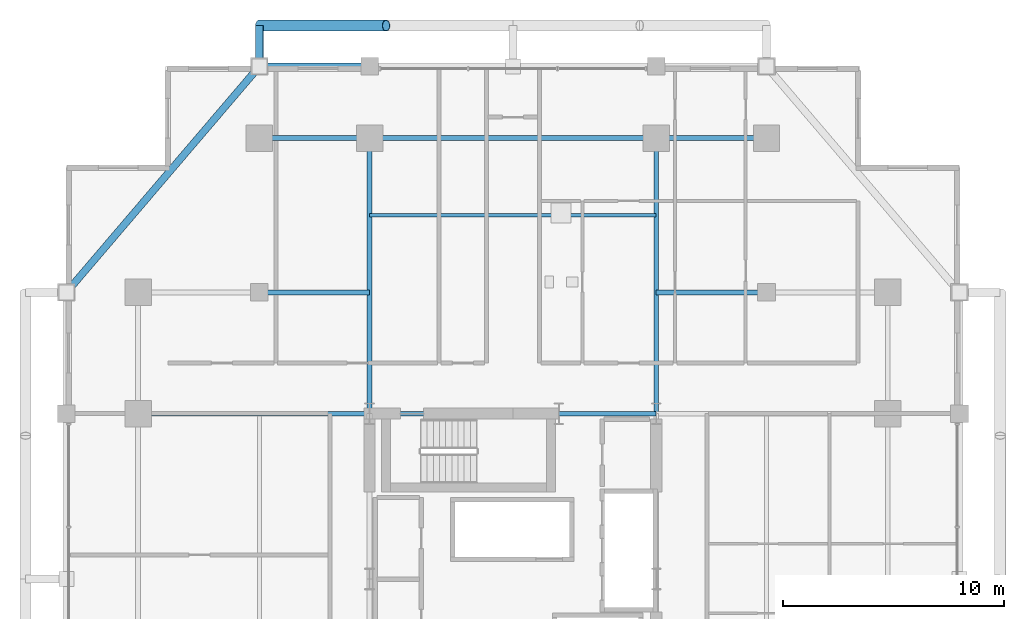
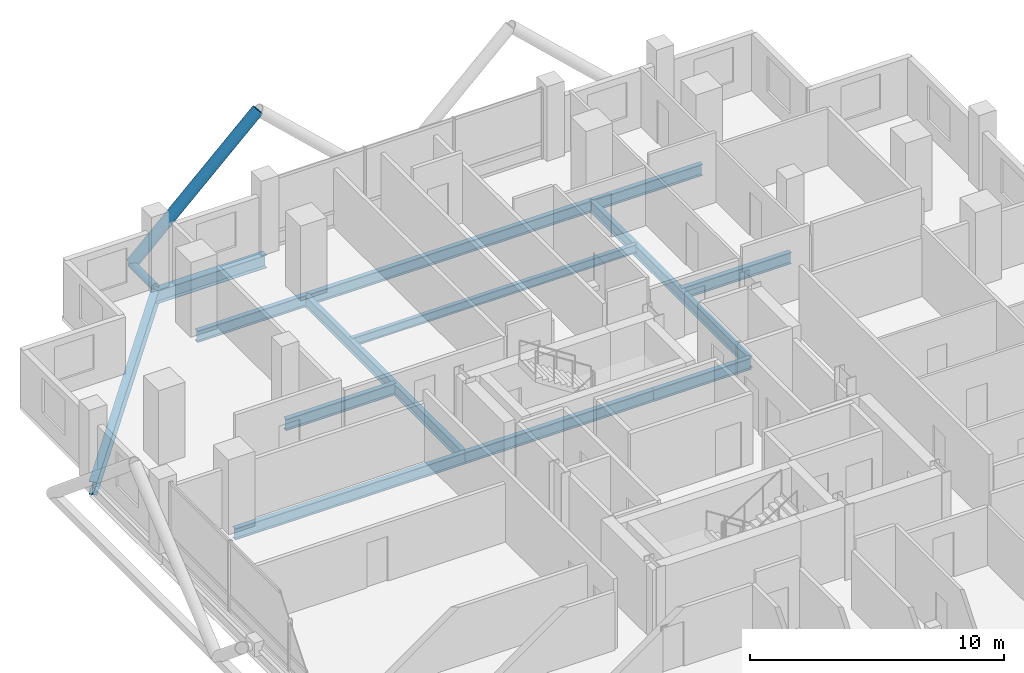
# One storey, part 13 of 24: 13 beams, 2 members.
"""IFC4 building model written with IfcOpenShell, lengths in metres."""

from ifc_helpers import new_model, si_unit, direction, frame, origin, origin_2d, place, context, subcontext, project, spatial, hollow_circle, i_section, extrude, material, material_profile, profile_set, type_object, element, save


model = new_model("IFC4")

# Units and contexts
model_context = context("Model", 3, precision=1e-05, world=origin(), true_north=direction((0.0, 1.0)))
body_context = subcontext(model_context, "Body", "Model", "MODEL_VIEW")
ifc_project = project(units=[si_unit("LENGTHUNIT", "METRE"), si_unit("AREAUNIT", "SQUARE_METRE"), si_unit("VOLUMEUNIT", "CUBIC_METRE"), si_unit("PLANEANGLEUNIT", "RADIAN"), si_unit("MASSUNIT", "GRAM", prefix="KILO")], contexts=[model_context])

# Site, building, storey
site_placement = place(None, origin())
site = spatial("IfcSite", under=ifc_project, at=site_placement, CompositionType="ELEMENT")
building_placement = place(site_placement, origin())
building = spatial("IfcBuilding", under=site, at=building_placement, Name="Barlavira Tower and Art Museum", CompositionType="ELEMENT")
storey_placement = place(building_placement, frame((0.0, 0.0, 154.800048828125)))
storey = spatial("IfcBuildingStorey", under=building, at=storey_placement, Name="L39", CompositionType="ELEMENT", Elevation=154.800048828125)

# Members
ifc_material = material(Name="Steel S355", Category="steel")
ifc_material_profile_1 = material_profile(ifc_material, hollow_circle(Radius=0.25390625, WallThickness=0.022216796875, at=origin_2d()), Name="CHS 508.0x22.2")
ifc_profile_set_1 = profile_set([ifc_material_profile_1], Name="Steel S355")
member_type_1 = type_object("IfcMemberType", Name="Pale-Metal Exoskeleton Diagrid Tube CHS 508x22 Steel S355", PredefinedType="BRACE", material=ifc_profile_set_1)
member_1_placement = place(storey_placement, frame((-11.5, 25.10009765625, -0.1201171875), z_axis=(0.728934650808, 0.0, 0.684583285548), x_axis=(0.0, 1.0, 0.0)))
element("IfcMember", 1, at=member_1_placement, inside=storey, type_object=member_type_1, Name="L39 Exoskeleton Diagrid Tube N", PredefinedType="BRACE", context=body_context, shape_type="SweptSolid", body=[
    extrude(hollow_circle(Radius=0.25390625, WallThickness=0.022216796875, at=origin_2d()), origin(), (0.0, 0.0, 1.0), 7.88818359375),
])
ifc_material_profile_2 = material_profile(ifc_material, hollow_circle(Radius=0.177734375, WallThickness=0.01611328125, at=origin_2d()), Name="CHS 355.6x16.0")
ifc_profile_set_2 = profile_set([ifc_material_profile_2], Name="Steel S355")
member_type_2 = type_object("IfcMemberType", Name="Pale-Metal Exoskeleton Tie Strut CHS 356x16 Steel S355", PredefinedType="STRUT", material=ifc_profile_set_2)
member_2_placement = place(storey_placement, frame((-11.5, 25.10009765625, -0.1201171875), z_axis=(0.0, -1.0, 0.0), x_axis=(1.0, 0.0, 0.0)))
element("IfcMember", 2, at=member_2_placement, inside=storey, type_object=member_type_2, Name="L39 Exoskeleton Tie Strut N1", PredefinedType="STRUT", context=body_context, shape_type="SweptSolid", body=[
    extrude(hollow_circle(Radius=0.177734375, WallThickness=0.01611328125, at=origin_2d()), origin(), (0.0, 0.0, 1.0), 1.85009765625),
])

# Beams
ifc_material_profile_3 = material_profile(ifc_material, i_section(OverallWidth=0.327880859375, OverallDepth=0.62890625, WebThickness=0.013916015625, FlangeThickness=0.021484375, at=origin_2d()), Name="W610x174.0")
ifc_profile_set_3 = profile_set([ifc_material_profile_3], Name="Steel S355")
beam_type_1 = type_object("IfcBeamType", Name="Perimeter Spandrel Edge Beam W610x174 Steel S355", PredefinedType="SPANDREL", material=ifc_profile_set_3)
beam_1_placement = place(storey_placement, frame((-11.5, 23.25, -0.53466796875), z_axis=(1.0, 0.0, 0.0), x_axis=(0.0, 1.0, 0.0)))
element("IfcBeam", 3, at=beam_1_placement, inside=storey, type_object=beam_type_1, Name="L39 Spandrel 11", PredefinedType="SPANDREL", context=body_context, shape_type="SweptSolid", body=[
    extrude(i_section(OverallWidth=0.327880859375, OverallDepth=0.62890625, WebThickness=0.013916015625, FlangeThickness=0.021484375, at=origin_2d()), origin(), (0.0, 0.0, 1.0), 5.0),
])
beam_2_placement = place(storey_placement, frame((-11.5, 23.25, -0.53466796875), z_axis=(-0.649262379928, -0.760564502202, 0.0), x_axis=(0.760564502202, -0.649262379928, 0.0)))
element("IfcBeam", 4, at=beam_2_placement, inside=storey, type_object=beam_type_1, Name="L39 Spandrel 12", PredefinedType="SPANDREL", context=body_context, shape_type="SweptSolid", body=[
    extrude(i_section(OverallWidth=0.327880859375, OverallDepth=0.62890625, WebThickness=0.013916015625, FlangeThickness=0.021484375, at=origin_2d()), origin(), (0.0, 0.0, 1.0), 13.476806640625),
])
ifc_material_profile_4 = material_profile(ifc_material, i_section(OverallWidth=0.214111328125, OverallDepth=0.549072265625, WebThickness=0.0146484375, FlangeThickness=0.023681640625, at=origin_2d()), Name="W530x138.0")
ifc_profile_set_4 = profile_set([ifc_material_profile_4], Name="Steel S355")
beam_type_2 = type_object("IfcBeamType", Name="Zone 1 Primary Floor Girder W530x138 Steel S355", PredefinedType="BEAM", material=ifc_profile_set_4)
beam_3_placement = place(storey_placement, frame((-6.5, 7.5, -0.49462890625), z_axis=(1.0, 0.0, 0.0), x_axis=(0.0, 1.0, 0.0)))
element("IfcBeam", 5, at=beam_3_placement, inside=storey, type_object=beam_type_2, Name="L39 Girder C-N1", PredefinedType="BEAM", context=body_context, shape_type="SweptSolid", body=[
    extrude(i_section(OverallWidth=0.214111328125, OverallDepth=0.549072265625, WebThickness=0.0146484375, FlangeThickness=0.023681640625, at=origin_2d()), origin(), (0.0, 0.0, 1.0), 8.580078125),
])
beam_4_placement = place(storey_placement, frame((2.080078125, 7.5, -0.49462890625), z_axis=(1.0, 0.0, 0.0), x_axis=(0.0, 1.0, 0.0)))
element("IfcBeam", 6, at=beam_4_placement, inside=storey, type_object=beam_type_2, Name="L39 Girder C-N2", PredefinedType="BEAM", context=body_context, shape_type="SweptSolid", body=[
    extrude(i_section(OverallWidth=0.214111328125, OverallDepth=0.549072265625, WebThickness=0.0146484375, FlangeThickness=0.023681640625, at=origin_2d()), origin(), (0.0, 0.0, 1.0), 4.419921875),
])
beam_5_placement = place(storey_placement, frame((-11.5, 20.0, -0.49462890625), z_axis=(1.0, 0.0, 0.0), x_axis=(0.0, 1.0, 0.0)))
element("IfcBeam", 7, at=beam_5_placement, inside=storey, type_object=beam_type_2, Name="L39 Girder M-N1", PredefinedType="BEAM", context=body_context, shape_type="SweptSolid", body=[
    extrude(i_section(OverallWidth=0.214111328125, OverallDepth=0.549072265625, WebThickness=0.0146484375, FlangeThickness=0.023681640625, at=origin_2d()), origin(), (0.0, 0.0, 1.0), 5.0),
])
beam_6_placement = place(storey_placement, frame((-6.5, 20.0, -0.49462890625), z_axis=(1.0, 0.0, 0.0), x_axis=(0.0, 1.0, 0.0)))
element("IfcBeam", 8, at=beam_6_placement, inside=storey, type_object=beam_type_2, Name="L39 Girder M-N2", PredefinedType="BEAM", context=body_context, shape_type="SweptSolid", body=[
    extrude(i_section(OverallWidth=0.214111328125, OverallDepth=0.549072265625, WebThickness=0.0146484375, FlangeThickness=0.023681640625, at=origin_2d()), origin(), (0.0, 0.0, 1.0), 13.0),
])
beam_7_placement = place(storey_placement, frame((6.5, 20.0, -0.49462890625), z_axis=(1.0, 0.0, 0.0), x_axis=(0.0, 1.0, 0.0)))
element("IfcBeam", 9, at=beam_7_placement, inside=storey, type_object=beam_type_2, Name="L39 Girder M-N3", PredefinedType="BEAM", context=body_context, shape_type="SweptSolid", body=[
    extrude(i_section(OverallWidth=0.214111328125, OverallDepth=0.549072265625, WebThickness=0.0146484375, FlangeThickness=0.023681640625, at=origin_2d()), origin(), (0.0, 0.0, 1.0), 5.0),
])
for number, where, z_axis, x_axis, name in (
    (10, (-6.5, 7.5, -0.49462890625), (0.0, 1.0, 0.0), (-1.0, 0.0, 0.0), "L39 Girder R-N1"),
    (11, (6.5, 7.5, -0.49462890625), (0.0, 1.0, 0.0), (-1.0, 0.0, 0.0), "L39 Girder R-N2"),
):
    element("IfcBeam", number, at=place(storey_placement, frame(where, z_axis=z_axis, x_axis=x_axis)), inside=storey, type_object=beam_type_2, Name=name, PredefinedType="BEAM", context=body_context, shape_type="SweptSolid", body=[
        extrude(i_section(OverallWidth=0.214111328125, OverallDepth=0.549072265625, WebThickness=0.0146484375, FlangeThickness=0.023681640625, at=origin_2d()), origin(), (0.0, 0.0, 1.0), 12.5),
    ])
beam_8_placement = place(storey_placement, frame((-17.0, 7.5, -0.49462890625), z_axis=(1.0, 0.0, 0.0), x_axis=(0.0, 1.0, 0.0)))
element("IfcBeam", 12, at=beam_8_placement, inside=storey, type_object=beam_type_2, Name="L39 Girder R-W2", PredefinedType="BEAM", context=body_context, shape_type="SweptSolid", body=[
    extrude(i_section(OverallWidth=0.214111328125, OverallDepth=0.549072265625, WebThickness=0.0146484375, FlangeThickness=0.023681640625, at=origin_2d()), origin(), (0.0, 0.0, 1.0), 10.5),
])
for number, where, z_axis, x_axis, name in (
    (13, (-11.5, 13.0, -0.49462890625), (1.0, 0.0, 0.0), (0.0, 1.0, 0.0), "L39 Girder I-N2"),
    (14, (6.5, 13.0, -0.49462890625), (1.0, 0.0, 0.0), (0.0, 1.0, 0.0), "L39 Girder I-N3"),
):
    element("IfcBeam", number, at=place(storey_placement, frame(where, z_axis=z_axis, x_axis=x_axis)), inside=storey, type_object=beam_type_2, Name=name, PredefinedType="BEAM", context=body_context, shape_type="SweptSolid", body=[
        extrude(i_section(OverallWidth=0.214111328125, OverallDepth=0.549072265625, WebThickness=0.0146484375, FlangeThickness=0.023681640625, at=origin_2d()), origin(), (0.0, 0.0, 1.0), 5.0),
    ])
ifc_material_profile_5 = material_profile(ifc_material, i_section(OverallWidth=0.179931640625, OverallDepth=0.4130859375, WebThickness=0.009765625, FlangeThickness=0.01611328125, at=origin_2d()), Name="W410x75.0")
ifc_profile_set_5 = profile_set([ifc_material_profile_5], Name="Steel S355")
beam_type_3 = type_object("IfcBeamType", Name="Zone 2 Composite Floor Joist W410x75 Steel S355", PredefinedType="JOIST", material=ifc_profile_set_5)
beam_9_placement = place(storey_placement, frame((-6.5, 16.5, -0.426513671875), z_axis=(1.0, 0.0, 0.0), x_axis=(0.0, 1.0, 0.0)))
element("IfcBeam", 15, at=beam_9_placement, inside=storey, type_object=beam_type_3, Name="L39 Joist C2", PredefinedType="JOIST", context=body_context, shape_type="SweptSolid", body=[
    extrude(i_section(OverallWidth=0.179931640625, OverallDepth=0.4130859375, WebThickness=0.009765625, FlangeThickness=0.01611328125, at=origin_2d()), origin(), (0.0, 0.0, 1.0), 13.0),
])

save(model, "model.ifc")
